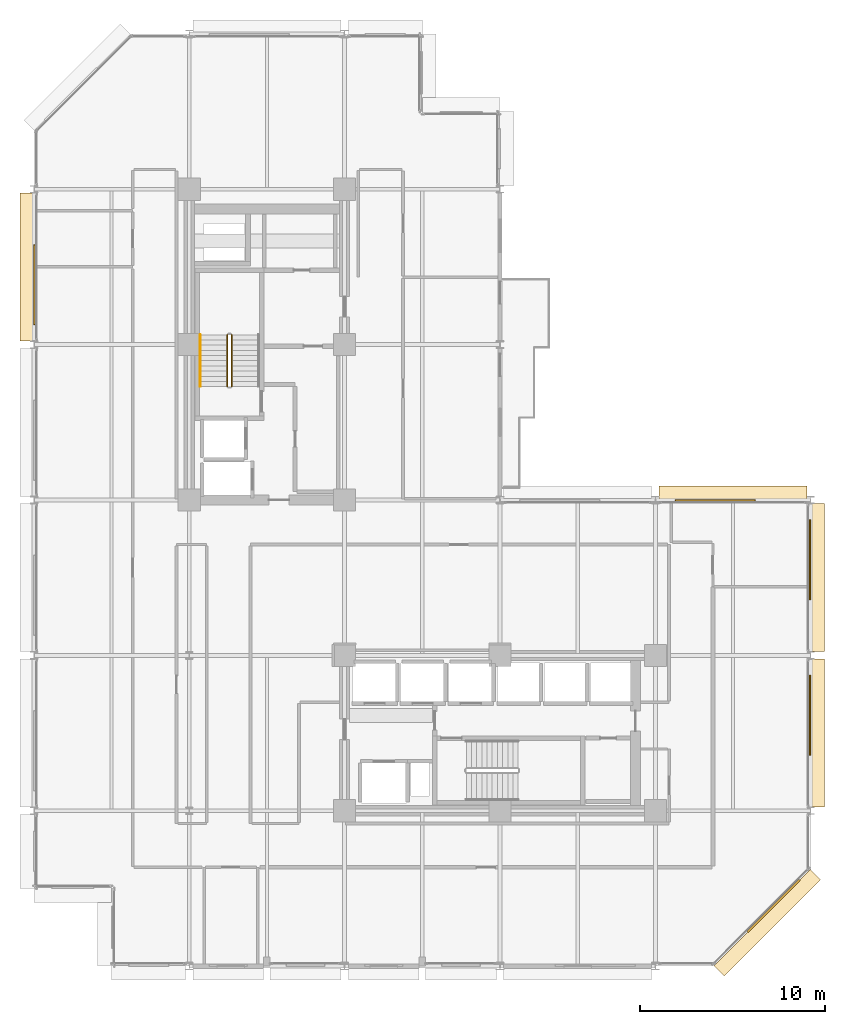
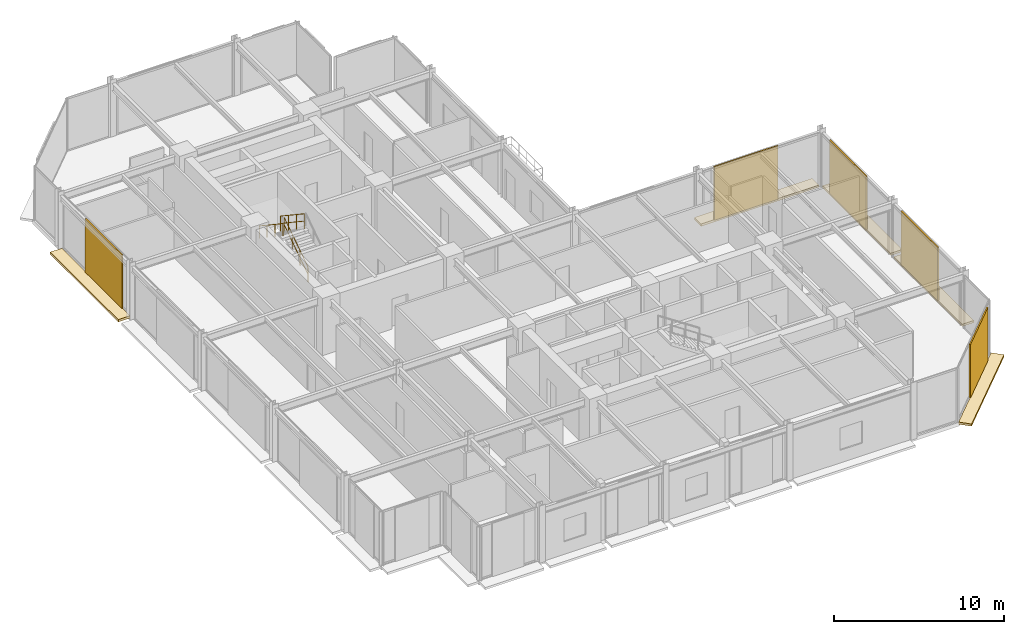
# One storey, part 29 of 30: 10 coverings, 3 railings.
"""IFC4 building model written with IfcOpenShell, lengths in metres."""

import ifcopenshell
import ifcopenshell.guid

model = None  # the IFC model being written
_history = None  # IfcOwnerHistory: only IFC2X3 demands one
_inside = {}  # id of a spatial element -> (the spatial element, [elements in it])
_under = {}  # id of a project, library or spatial element -> (it, [spatial elements below it])
_declared = {}  # id of a project -> (the project, [libraries it declares])
_typed = {}  # id of a type object -> (the type object, [elements of that type])
_made_of = {}  # id of a material, layer set ... -> (it, [elements and type objects made of it])


def new_model(schema):
    """Start an empty IFC model of exactly this schema.

    Asked for "IFC4X3", IfcOpenShell would pick the latest addendum, in which some entities
    have other attributes; the version numbers below select the first issue.
    IFC2X3 requires an IfcOwnerHistory on every rooted entity: one is made here for all.
    """
    global model, _history
    if schema == "IFC4X3":
        model = ifcopenshell.file(schema_version=(4, 3, 0, 0))
    else:
        model = ifcopenshell.file(schema=schema)
    _inside.clear()
    _under.clear()
    _declared.clear()
    _typed.clear()
    _made_of.clear()
    _history = None
    if model.schema == "IFC2X3":
        org = make("IfcOrganization", Name="unknown")
        user = make(
            "IfcPersonAndOrganization",
            ThePerson=make("IfcPerson", FamilyName="unknown"),
            TheOrganization=org,
        )
        app = make(
            "IfcApplication",
            ApplicationDeveloper=org,
            Version="unknown",
            ApplicationFullName="unknown",
            ApplicationIdentifier="unknown",
        )
        _history = make(
            "IfcOwnerHistory",
            OwningUser=user,
            OwningApplication=app,
            ChangeAction="ADDED",
            CreationDate=0,
        )
    return model


def make(cls, **values):
    """One entity of the class cls with the attributes given. An attribute that is None is left unset."""
    return model.create_entity(
        cls, **{name: value for name, value in values.items() if value is not None}
    )


def rooted(cls, **values):
    """An entity with a GlobalId (a new one), such as an element, a storey or a relation."""
    return make(cls, GlobalId=ifcopenshell.guid.new(), OwnerHistory=_history, **values)


def si_unit(unit_type, name, prefix=None):
    """IfcSIUnit, for example si_unit("LENGTHUNIT", "METRE", prefix="MILLI")."""
    return make("IfcSIUnit", UnitType=unit_type, Prefix=prefix, Name=name)


def assignment(units):
    """IfcUnitAssignment: the units of a project."""
    return None if units is None else make("IfcUnitAssignment", Units=units)


def point(xyz):
    """IfcCartesianPoint."""
    return None if xyz is None else make("IfcCartesianPoint", Coordinates=xyz)


def direction(xyz):
    """IfcDirection."""
    return None if xyz is None else make("IfcDirection", DirectionRatios=xyz)


def frame(location, z_axis=None, x_axis=None):
    """IfcAxis2Placement3D, a coordinate frame: its origin and axes. An axis left out is left unset."""
    return make(
        "IfcAxis2Placement3D",
        Location=point(location),
        Axis=direction(z_axis),
        RefDirection=direction(x_axis),
    )


def frame_2d(location, x_axis=None):
    """IfcAxis2Placement2D, a coordinate frame in the plane: its origin and x axis."""
    return make(
        "IfcAxis2Placement2D", Location=point(location), RefDirection=direction(x_axis)
    )


def origin():
    """The frame at (0, 0, 0) with its axes left unset."""
    return frame((0.0, 0.0, 0.0))


def origin_2d():
    """The frame at (0, 0) in the plane with its x axis left unset."""
    return frame_2d((0.0, 0.0))


def place(relative_to, where):
    """IfcLocalPlacement: puts the frame where relative to a parent placement (None: the world)."""
    return make(
        "IfcLocalPlacement", PlacementRelTo=relative_to, RelativePlacement=where
    )


def context(
    kind, dimensions, precision=None, world=None, true_north=None, identifier=None
):
    """IfcGeometricRepresentationContext, for example the 3D "Model" context."""
    return make(
        "IfcGeometricRepresentationContext",
        ContextIdentifier=identifier,
        ContextType=kind,
        CoordinateSpaceDimension=dimensions,
        Precision=precision,
        WorldCoordinateSystem=world,
        TrueNorth=true_north,
    )


def subcontext(parent, identifier, kind, view, scale=None):
    """IfcGeometricRepresentationSubContext, for example "Body" below "Model"."""
    return make(
        "IfcGeometricRepresentationSubContext",
        ContextIdentifier=identifier,
        ContextType=kind,
        ParentContext=parent,
        TargetScale=scale,
        TargetView=view,
    )


def project(units=None, contexts=None):
    """IfcProject with its units and contexts."""
    return rooted(
        "IfcProject",
        Name="project",
        RepresentationContexts=contexts,
        UnitsInContext=assignment(units),
    )


def spatial(cls, under=None, at=None, **own):
    """A site, building, storey or space (cls), placed at a placement, below another one or the project."""
    s = rooted(cls, ObjectPlacement=at, **own)
    if under is not None:
        _under.setdefault(under.id(), (under, []))[1].append(s)
    return s


def polyline(points):
    """IfcPolyline through the points."""
    return make("IfcPolyline", Points=[point(p) for p in points])


def profile(cls, at=None, kind="AREA", **sizes):
    """A parametric profile (cls). Its sizes go by their IFC names, for example OverallWidth=200.0."""
    return make(cls, ProfileType=kind, Position=at, **sizes)


def rectangle(**sizes):
    """IfcRectangleProfileDef."""
    return profile("IfcRectangleProfileDef", **sizes)


def circle(**sizes):
    """IfcCircleProfileDef."""
    return profile("IfcCircleProfileDef", **sizes)


def outline(outer, holes=None, kind="AREA"):
    """IfcArbitraryClosedProfileDef: a profile drawn as a closed curve; with holes, ...WithVoids."""
    if holes is None:
        return make("IfcArbitraryClosedProfileDef", ProfileType=kind, OuterCurve=outer)
    return make(
        "IfcArbitraryProfileDefWithVoids",
        ProfileType=kind,
        OuterCurve=outer,
        InnerCurves=holes,
    )


def extrude(swept, where, along, depth):
    """IfcExtrudedAreaSolid: the profile swept, set in the frame where, extruded along a direction by depth."""
    return make(
        "IfcExtrudedAreaSolid",
        SweptArea=swept,
        Position=where,
        ExtrudedDirection=direction(along),
        Depth=depth,
    )


def shape(context_of_items, identifier, shape_type, items):
    """IfcShapeRepresentation: the items that make up one representation, for example the "Body"."""
    return make(
        "IfcShapeRepresentation",
        ContextOfItems=context_of_items,
        RepresentationIdentifier=identifier,
        RepresentationType=shape_type,
        Items=items,
    )


def material(Name=None, Category=None):
    """IfcMaterial."""
    return make("IfcMaterial", Name=Name, Category=Category)


def layer(
    of_material, thickness, ventilated=None, Name=None, Category=None, Priority=None
):
    """IfcMaterialLayer: one layer of a wall or slab, of a material (None: an air gap)."""
    return make(
        "IfcMaterialLayer",
        Material=of_material,
        LayerThickness=thickness,
        IsVentilated=ventilated,
        Name=Name,
        Category=Category,
        Priority=Priority,
    )


def layer_set(layers, Name=None):
    """IfcMaterialLayerSet."""
    return make("IfcMaterialLayerSet", MaterialLayers=layers, LayerSetName=Name)


def made_of(thing, what):
    """Note that an element or type object is made of a material, layer set ...; save() writes the relation."""
    if what is not None:
        _made_of.setdefault(what.id(), (what, []))[1].append(thing)
    return thing


def type_object(cls, material=None, **own):
    """A type object (cls), such as IfcWallType, which elements share."""
    return made_of(rooted(cls, **own), material)


def element(
    cls,
    number,
    at=None,
    inside=None,
    cuts=None,
    type_object=None,
    material=None,
    context=None,
    identifier="Body",
    shape_type=None,
    held_by="IfcProductDefinitionShape",
    body=None,
    shapes=None,
    **own,
):
    """One element of the class cls, such as IfcWall. Its Tag is "e" and its number.

    at: its placement. inside: the storey or other place that contains it. cuts: it is an
    opening in that element (IfcRelVoidsElement). A single representation is given by context,
    identifier, shape_type and body (its items); several are given by shapes. held_by: the class
    of the entity that holds the representations. save() writes the other relations.
    """
    e = rooted(cls, Tag="e%d" % number, ObjectPlacement=at, **own)
    if body is not None:
        shapes = [shape(context, identifier, shape_type, body)]
    if shapes is not None:
        e.Representation = make(held_by, Representations=shapes)
    if inside is not None:
        _inside.setdefault(inside.id(), (inside, []))[1].append(e)
    if cuts is not None:
        rooted(
            "IfcRelVoidsElement", RelatingBuildingElement=cuts, RelatedOpeningElement=e
        )
    if type_object is not None:
        _typed.setdefault(type_object.id(), (type_object, []))[1].append(e)
    return made_of(e, material)


def aggregate(whole, parts):
    """IfcRelAggregates: a whole, such as a stair, and the parts it consists of."""
    return rooted("IfcRelAggregates", RelatingObject=whole, RelatedObjects=parts)


def save(model, path):
    """Write the relations noted so far, then the file.

    IfcRelAggregates (storeys below a building ...), IfcRelContainedInSpatialStructure (elements
    in a storey), IfcRelDefinesByType, IfcRelAssociatesMaterial and IfcRelDeclares: one each for
    every whole, place, type object, material and project.
    """
    for whole, parts in _under.values():
        aggregate(whole, parts)
    for where, things in _inside.values():
        rooted(
            "IfcRelContainedInSpatialStructure",
            RelatedElements=things,
            RelatingStructure=where,
        )
    for kind, things in _typed.values():
        rooted("IfcRelDefinesByType", RelatedObjects=things, RelatingType=kind)
    for what, things in _made_of.values():
        rooted("IfcRelAssociatesMaterial", RelatedObjects=things, RelatingMaterial=what)
    for by, libraries in _declared.values():
        rooted("IfcRelDeclares", RelatingContext=by, RelatedDefinitions=libraries)
    model.write(path)


model = new_model("IFC4")

# Units and contexts
model_context = context("Model", 3, precision=1e-05, world=origin(), true_north=direction((0.0, 1.0)))
body_context = subcontext(model_context, "Body", "Model", "MODEL_VIEW")
ifc_project = project(units=[si_unit("LENGTHUNIT", "METRE"), si_unit("AREAUNIT", "SQUARE_METRE"), si_unit("VOLUMEUNIT", "CUBIC_METRE"), si_unit("PLANEANGLEUNIT", "RADIAN"), si_unit("MASSUNIT", "GRAM", prefix="KILO")], contexts=[model_context])

# Site, building, storey
site_placement = place(None, origin())
site = spatial("IfcSite", under=ifc_project, at=site_placement, CompositionType="ELEMENT")
building_placement = place(site_placement, origin())
building = spatial("IfcBuilding", under=site, at=building_placement, Name="Nerrivon Quay Data Exchange", CompositionType="ELEMENT")
storey_placement = place(building_placement, frame((0.0, 0.0, 154.10009765625)))
storey = spatial("IfcBuildingStorey", under=building, at=storey_placement, Name="L36", CompositionType="ELEMENT", Elevation=154.10009765625)

# Coverings
ifc_material_1 = material(Name="Architectural terracotta ceramic", Category="masonry")
ifc_layer_1 = layer(ifc_material_1, 0.159912109375)
ifc_layer_set_1 = layer_set([ifc_layer_1], Name="Architectural terracotta ceramic")
covering_type_1 = type_object("IfcCoveringType", Name="COV-BLD-TERR", PredefinedType="CLADDING", material=ifc_layer_set_1)
covering_1_placement = place(storey_placement, frame((0.0, 0.0, -0.16015625)))
element("IfcCovering", 1, at=covering_1_placement, inside=storey, type_object=covering_type_1, Name="L36 Horizontal Terracotta SOLAR SCREEN Blade", PredefinedType="CLADDING", context=body_context, shape_type="SweptSolid", body=[
    extrude(outline(polyline([(41.9716796875, 5.228271484375), (36.771728515625, 0.0283203125), (37.330322265625, -0.5302734375), (42.5302734375, 4.669677734375), (41.9716796875, 5.228271484375)])), origin(), (0.0, 0.0, 1.0), 0.16015625),
])
covering_2_placement = place(storey_placement, frame((0.0, 0.0, -0.16015625)))
element("IfcCovering", 2, at=covering_2_placement, inside=storey, type_object=covering_type_1, Name="L36 Horizontal Terracotta SOLAR SCREEN Blade", PredefinedType="CLADDING", context=body_context, shape_type="SweptSolid", body=[
    extrude(outline(polyline([(0.0400390625, 33.800048828125), (0.0400390625, 41.800048828125), (-0.75, 41.800048828125), (-0.75, 33.800048828125), (0.0400390625, 33.800048828125)])), origin(), (0.0, 0.0, 1.0), 0.16015625),
])
covering_3_placement = place(storey_placement, frame((0.0, 0.0, -0.16015625)))
element("IfcCovering", 3, at=covering_3_placement, inside=storey, type_object=covering_type_1, Name="L36 Horizontal Terracotta SOLAR SCREEN Blade", PredefinedType="CLADDING", context=body_context, shape_type="SweptSolid", body=[
    extrude(outline(polyline([(33.800048828125, 25.159912109375), (41.800048828125, 25.159912109375), (41.800048828125, 25.949951171875), (33.800048828125, 25.949951171875), (33.800048828125, 25.159912109375)])), origin(), (0.0, 0.0, 1.0), 0.16015625),
])
covering_4_placement = place(storey_placement, frame((0.0, 0.0, -0.16015625)))
element("IfcCovering", 4, at=covering_4_placement, inside=storey, type_object=covering_type_1, Name="L36 Horizontal Terracotta SOLAR SCREEN Blade", PredefinedType="CLADDING", context=body_context, shape_type="SweptSolid", body=[
    extrude(outline(polyline([(41.9599609375, 25.0), (41.9599609375, 17.0), (42.75, 17.0), (42.75, 25.0), (41.9599609375, 25.0)])), origin(), (0.0, 0.0, 1.0), 0.16015625),
])
covering_5_placement = place(storey_placement, frame((0.0, 0.0, -0.16015625)))
element("IfcCovering", 5, at=covering_5_placement, inside=storey, type_object=covering_type_1, Name="L36 Horizontal Terracotta SOLAR SCREEN Blade", PredefinedType="CLADDING", context=body_context, shape_type="SweptSolid", body=[
    extrude(outline(polyline([(41.9599609375, 16.60009765625), (41.9599609375, 8.60009765625), (42.75, 8.60009765625), (42.75, 16.60009765625), (41.9599609375, 16.60009765625)])), origin(), (0.0, 0.0, 1.0), 0.16015625),
])
ifc_layer_2 = layer(ifc_material_1, 0.090087890625)
ifc_layer_set_2 = layer_set([ifc_layer_2], Name="Architectural terracotta ceramic")
covering_type_2 = type_object("IfcCoveringType", Name="COV-SCR-TERR", PredefinedType="CLADDING", material=ifc_layer_set_2)
covering_6_placement = place(storey_placement, frame((39.9921875, 3.255859375, 0.0), z_axis=(0.0, 0.0, 1.0), x_axis=(-0.707106781187, -0.707106781187, 0.0)))
element("IfcCovering", 6, at=covering_6_placement, inside=storey, type_object=covering_type_2, Name="L36 Perforated Terracotta SOLAR SCREEN Cassette", PredefinedType="CLADDING", context=body_context, shape_type="SweptSolid", body=[
    extrude(rectangle(XDim=3.970947265625, YDim=0.090087890625, at=origin_2d()), origin(), (0.0, 0.0, 1.0), 3.824951171875),
])
for number, where, z_axis, x_axis, name in (
    (7, (0.044921875, 36.840087890625, 0.0), (0.0, 0.0, 1.0), (0.0, 1.0, 0.0), "L36 Perforated Terracotta SOLAR SCREEN Cassette"),
    (8, (36.840087890625, 25.155029296875, 0.0), (0.0, 0.0, 1.0), (1.0, 0.0, 0.0), "L36 Perforated Terracotta SOLAR SCREEN Cassette"),
    (9, (41.955078125, 21.9599609375, 0.0), (0.0, 0.0, 1.0), (0.0, -1.0, 0.0), "L36 Perforated Terracotta SOLAR SCREEN Cassette"),
    (10, (41.955078125, 13.56005859375, 0.0), (0.0, 0.0, 1.0), (0.0, -1.0, 0.0), "L36 Perforated Terracotta SOLAR SCREEN Cassette"),
):
    element("IfcCovering", number, at=place(storey_placement, frame(where, z_axis=z_axis, x_axis=x_axis)), inside=storey, type_object=covering_type_2, Name=name, PredefinedType="CLADDING", context=body_context, shape_type="SweptSolid", body=[
        extrude(rectangle(XDim=4.320068359375, YDim=0.090087890625, at=origin_2d()), origin(), (0.0, 0.0, 1.0), 3.824951171875),
    ])

# Railings
ifc_material_2 = material(Name="Steel Grade C350L0 (350 MPa)", Category="steel")
railing_type_1 = type_object("IfcRailingType", Name="RAIL-HAND-HR1", PredefinedType="HANDRAIL", material=ifc_material_2)
railing_1_placement = place(storey_placement, frame((9.0, 34.1298828125, 2.236328125)))
element("IfcRailing", 11, at=railing_1_placement, inside=storey, type_object=railing_type_1, Name="L36 ST01 stair handrail 2", PredefinedType="HANDRAIL", context=body_context, shape_type="SweptSolid", body=[
    extrude(circle(Radius=0.02392578125, at=origin_2d()), frame((0.0, 0.0, 0.8759765625), z_axis=(0.0, -0.832463268671, 0.554080234545), x_axis=(1.0, 0.0, 0.0)), (0.0, 0.0, 1.0), 3.36328125),
    extrude(circle(Radius=0.02099609375, at=origin_2d()), origin(), (0.0, 0.0, 1.0), 0.851806640625),
    extrude(circle(Radius=0.02099609375, at=origin_2d()), frame((0.0, -0.933349609375, 0.62109375)), (0.0, 0.0, 1.0), 0.851806640625),
    extrude(circle(Radius=0.02099609375, at=origin_2d()), frame((0.0, -1.866455078125, 1.242431640625)), (0.0, 0.0, 1.0), 0.851806640625),
    extrude(circle(Radius=0.02099609375, at=origin_2d()), frame((0.0, -2.7998046875, 1.863525390625)), (0.0, 0.0, 1.0), 0.851806640625),
])
railing_type_2 = type_object("IfcRailingType", Name="RAIL-STAIR-GR1", PredefinedType="BALUSTRADE", material=ifc_material_2)
railing_2_placement = place(storey_placement, frame((10.699951171875, 31.330078125, 0.186279296875)))
element("IfcRailing", 12, at=railing_2_placement, inside=storey, type_object=railing_type_2, Name="L36 ST01 stair guard 1", PredefinedType="BALUSTRADE", context=body_context, shape_type="SweptSolid", body=[
    extrude(circle(Radius=0.02392578125, at=origin_2d()), frame((0.0, 0.0, 1.076171875), z_axis=(0.0, 0.832463268671, 0.554080234545), x_axis=(-1.0, 0.0, 0.0)), (0.0, 0.0, 1.0), 3.36328125),
    extrude(circle(Radius=0.02392578125, at=origin_2d()), frame((0.0, 0.0, 0.550048828125), z_axis=(0.0, 0.832463268671, 0.554080234545), x_axis=(-1.0, 0.0, 0.0)), (0.0, 0.0, 1.0), 3.36328125),
    extrude(circle(Radius=0.02099609375, at=origin_2d()), origin(), (0.0, 0.0, 1.0), 1.052001953125),
    extrude(circle(Radius=0.02099609375, at=origin_2d()), frame((0.0, 0.933349609375, 0.62109375)), (0.0, 0.0, 1.0), 1.052001953125),
    extrude(circle(Radius=0.02099609375, at=origin_2d()), frame((0.0, 1.866455078125, 1.242431640625)), (0.0, 0.0, 1.0), 1.052001953125),
    extrude(circle(Radius=0.02099609375, at=origin_2d()), frame((0.0, 2.7998046875, 1.863525390625)), (0.0, 0.0, 1.0), 1.052001953125),
])
railing_3_placement = place(storey_placement, frame((10.449951171875, 34.1298828125, 2.236328125)))
element("IfcRailing", 13, at=railing_3_placement, inside=storey, type_object=railing_type_2, Name="L36 ST01 stair guard 3", PredefinedType="BALUSTRADE", context=body_context, shape_type="SweptSolid", body=[
    extrude(circle(Radius=0.02392578125, at=origin_2d()), frame((0.0, 0.0, 1.076171875), z_axis=(0.0, -0.832463268671, 0.554080234545), x_axis=(1.0, 0.0, 0.0)), (0.0, 0.0, 1.0), 3.36328125),
    extrude(circle(Radius=0.02392578125, at=origin_2d()), frame((0.0, 0.0, 0.550048828125), z_axis=(0.0, -0.832463268671, 0.554080234545), x_axis=(1.0, 0.0, 0.0)), (0.0, 0.0, 1.0), 3.36328125),
    extrude(circle(Radius=0.02099609375, at=origin_2d()), origin(), (0.0, 0.0, 1.0), 1.052001953125),
    extrude(circle(Radius=0.02099609375, at=origin_2d()), frame((0.0, -0.933349609375, 0.62109375)), (0.0, 0.0, 1.0), 1.052001953125),
    extrude(circle(Radius=0.02099609375, at=origin_2d()), frame((0.0, -1.866455078125, 1.242431640625)), (0.0, 0.0, 1.0), 1.052001953125),
    extrude(circle(Radius=0.02099609375, at=origin_2d()), frame((0.0, -2.7998046875, 1.863525390625)), (0.0, 0.0, 1.0), 1.052001953125),
])

save(model, "model.ifc")
